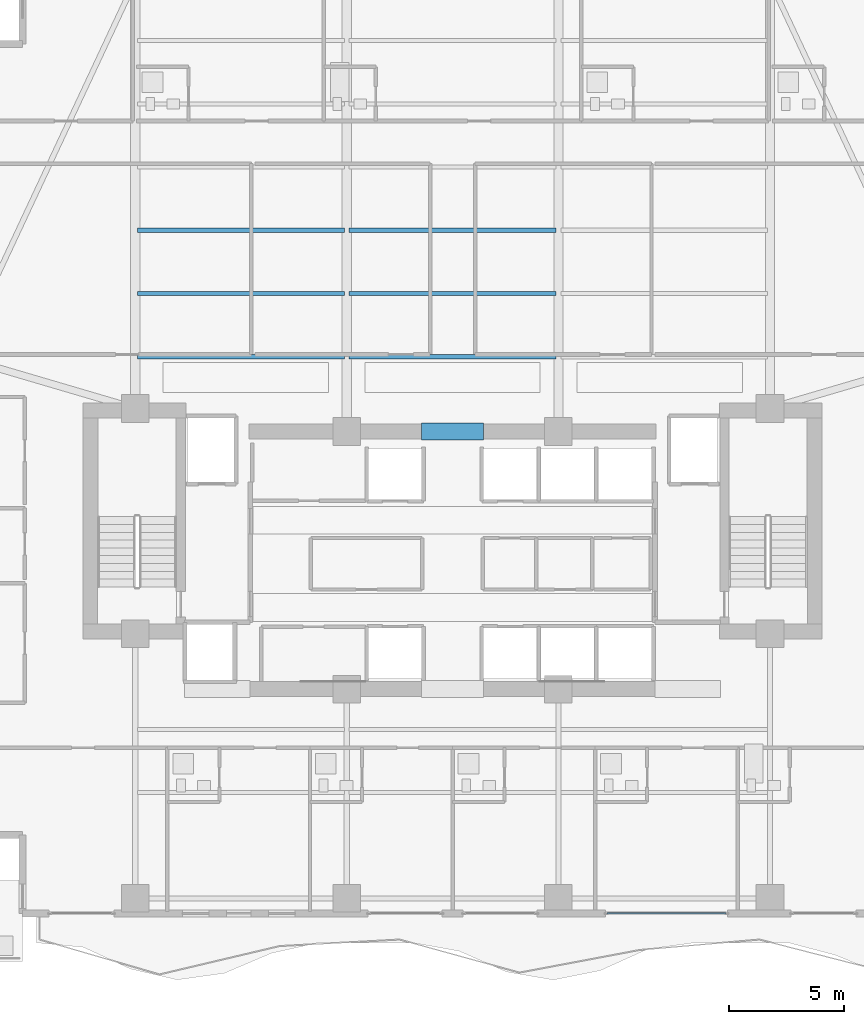
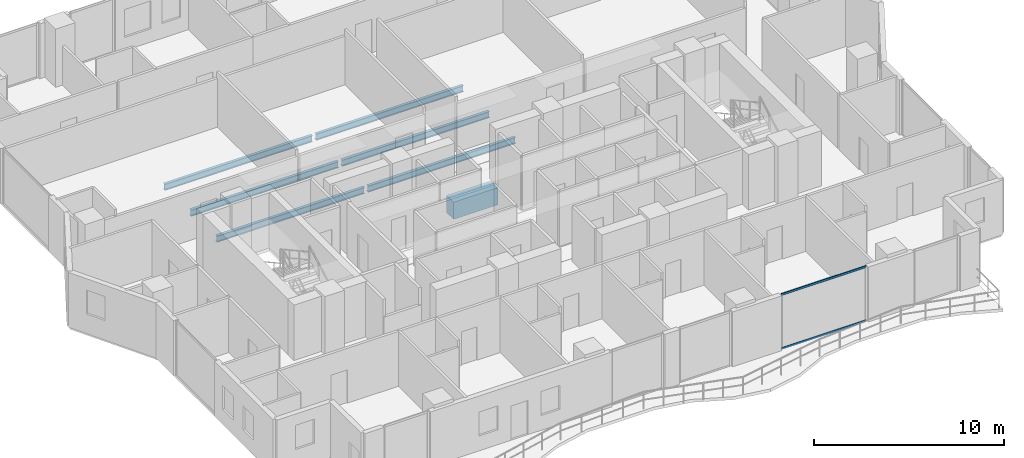
# One storey, part 8 of 32: 7 beams, 2 members, 1 element without a shape of its own.
"""IFC4 building model written with IfcOpenShell, lengths in metres."""

from ifc_helpers import new_model, si_unit, direction, frame, origin, origin_2d, place, context, subcontext, project, spatial, rectangle, hollow_rectangle, i_section, extrude, material, layer, layer_set, material_profile, profile_set, type_object, element, aggregate, save


model = new_model("IFC4")

# Units and contexts
model_context = context("Model", 3, precision=1e-05, world=origin(), true_north=direction((0.0, 1.0)))
body_context = subcontext(model_context, "Body", "Model", "MODEL_VIEW")
ifc_project = project(units=[si_unit("LENGTHUNIT", "METRE"), si_unit("AREAUNIT", "SQUARE_METRE"), si_unit("VOLUMEUNIT", "CUBIC_METRE"), si_unit("PLANEANGLEUNIT", "RADIAN"), si_unit("MASSUNIT", "GRAM", prefix="KILO")], contexts=[model_context])

# Site, building, storey
site_placement = place(None, origin())
site = spatial("IfcSite", under=ifc_project, at=site_placement, CompositionType="ELEMENT")
building_placement = place(site_placement, origin())
building = spatial("IfcBuilding", under=site, at=building_placement, Name="Zuhayl Quay Hotel", CompositionType="ELEMENT")
storey_placement = place(building_placement, frame((0.0, 0.0, 192.39990234375)))
storey = spatial("IfcBuildingStorey", under=building, at=storey_placement, Name="L48", CompositionType="ELEMENT", Elevation=192.39990234375)

# Beams
ifc_material_1 = material(Name="Concrete C60/75", Category="concrete")
ifc_material_profile_1 = material_profile(ifc_material_1, rectangle(XDim=0.75, YDim=1.10009765625, at=origin_2d()), Name="RC750X1100")
ifc_profile_set_1 = profile_set([ifc_material_profile_1], Name="Concrete C60/75")
beam_type_1 = type_object("IfcBeamType", Name="BM_CB2_RC750", PredefinedType="T_BEAM", material=ifc_profile_set_1)
beam_1_placement = place(storey_placement, frame((-1.35009765625, 13.35009765625, -0.77001953125), z_axis=(1.0, 0.0, 0.0), x_axis=(0.0, 1.0, 0.0)))
element("IfcBeam", 1, at=beam_1_placement, inside=storey, type_object=beam_type_1, Name="L48 Core Coupling Beam North", PredefinedType="T_BEAM", context=body_context, shape_type="SweptSolid", body=[
    extrude(rectangle(XDim=0.75, YDim=1.10009765625, at=origin_2d()), origin(), (0.0, 0.0, 1.0), 2.7001953125),
])
ifc_material_2 = material(Name="Steel ASTM A992 Grade 50", Category="steel")
ifc_material_profile_2 = material_profile(ifc_material_2, i_section(OverallWidth=0.177978515625, OverallDepth=0.406005859375, WebThickness=0.0078125, FlangeThickness=0.0126953125, at=origin_2d()), Name="W16X40")
ifc_profile_set_2 = profile_set([ifc_material_profile_2], Name="Steel ASTM A992 Grade 50")
beam_type_2 = type_object("IfcBeamType", Name="BM_J2B_W16X40", PredefinedType="JOIST", material=ifc_profile_set_2)
beam_2_placement = place(storey_placement, frame((-13.694091796875, 16.60009765625, -0.4228515625), z_axis=(1.0, 0.0, 0.0), x_axis=(0.0, 1.0, 0.0)))
element("IfcBeam", 2, at=beam_2_placement, inside=storey, type_object=beam_type_2, Name="L48 Floor Beam FJ_L48_1_1", PredefinedType="JOIST", context=body_context, shape_type="SweptSolid", body=[
    extrude(i_section(OverallWidth=0.177978515625, OverallDepth=0.406005859375, WebThickness=0.0078125, FlangeThickness=0.0126953125, at=origin_2d()), origin(), (0.0, 0.0, 1.0), 8.988037109375),
])
beam_3_placement = place(storey_placement, frame((-4.493896484375, 16.60009765625, -0.4228515625), z_axis=(1.0, 0.0, 0.0), x_axis=(0.0, 1.0, 0.0)))
element("IfcBeam", 3, at=beam_3_placement, inside=storey, type_object=beam_type_2, Name="L48 Floor Beam FJ_L48_1_2", PredefinedType="JOIST", context=body_context, shape_type="SweptSolid", body=[
    extrude(i_section(OverallWidth=0.177978515625, OverallDepth=0.406005859375, WebThickness=0.0078125, FlangeThickness=0.0126953125, at=origin_2d()), origin(), (0.0, 0.0, 1.0), 8.98779296875),
])
beam_4_placement = place(storey_placement, frame((-13.694091796875, 19.35009765625, -0.4228515625), z_axis=(1.0, 0.0, 0.0), x_axis=(0.0, 1.0, 0.0)))
element("IfcBeam", 4, at=beam_4_placement, inside=storey, type_object=beam_type_2, Name="L48 Floor Beam FJ_L48_2_1", PredefinedType="JOIST", context=body_context, shape_type="SweptSolid", body=[
    extrude(i_section(OverallWidth=0.177978515625, OverallDepth=0.406005859375, WebThickness=0.0078125, FlangeThickness=0.0126953125, at=origin_2d()), origin(), (0.0, 0.0, 1.0), 8.988037109375),
])
beam_5_placement = place(storey_placement, frame((-4.493896484375, 19.35009765625, -0.4228515625), z_axis=(1.0, 0.0, 0.0), x_axis=(0.0, 1.0, 0.0)))
element("IfcBeam", 5, at=beam_5_placement, inside=storey, type_object=beam_type_2, Name="L48 Floor Beam FJ_L48_2_2", PredefinedType="JOIST", context=body_context, shape_type="SweptSolid", body=[
    extrude(i_section(OverallWidth=0.177978515625, OverallDepth=0.406005859375, WebThickness=0.0078125, FlangeThickness=0.0126953125, at=origin_2d()), origin(), (0.0, 0.0, 1.0), 8.98779296875),
])
beam_6_placement = place(storey_placement, frame((-13.694091796875, 22.10009765625, -0.4228515625), z_axis=(1.0, 0.0, 0.0), x_axis=(0.0, 1.0, 0.0)))
element("IfcBeam", 6, at=beam_6_placement, inside=storey, type_object=beam_type_2, Name="L48 Floor Beam FJ_L48_3_1", PredefinedType="JOIST", context=body_context, shape_type="SweptSolid", body=[
    extrude(i_section(OverallWidth=0.177978515625, OverallDepth=0.406005859375, WebThickness=0.0078125, FlangeThickness=0.0126953125, at=origin_2d()), origin(), (0.0, 0.0, 1.0), 8.988037109375),
])
beam_7_placement = place(storey_placement, frame((-4.493896484375, 22.10009765625, -0.4228515625), z_axis=(1.0, 0.0, 0.0), x_axis=(0.0, 1.0, 0.0)))
element("IfcBeam", 7, at=beam_7_placement, inside=storey, type_object=beam_type_2, Name="L48 Floor Beam FJ_L48_3_2", PredefinedType="JOIST", context=body_context, shape_type="SweptSolid", body=[
    extrude(i_section(OverallWidth=0.177978515625, OverallDepth=0.406005859375, WebThickness=0.0078125, FlangeThickness=0.0126953125, at=origin_2d()), origin(), (0.0, 0.0, 1.0), 8.98779296875),
])

# Curtain wall, members
ifc_material_3 = material(Name="Anodised Aluminium 6063-T6", Category="aluminium")
ifc_layer = layer(ifc_material_3, 0.175048828125, Name="Anodised Aluminium 6063-T6", Category="aluminium")
ifc_layer_set = layer_set([ifc_layer], Name="Anodised Aluminium 6063-T6")
curtain_wall_type = type_object("IfcCurtainWallType", Name="CW_SYS_Z3", PredefinedType="USERDEFINED", material=ifc_layer_set)
curtain_wall_placement = place(storey_placement, origin())
curtain_wall = element("IfcCurtainWall", 8, at=curtain_wall_placement, inside=storey, type_object=curtain_wall_type, Name="L48 Curtain Wall ENV_L48_S_CW2", ObjectType="UNITISED CURTAIN WALL", PredefinedType="USERDEFINED")
ifc_material_4 = material(Name="Black-anodised aluminium 6063-T6", Category="aluminium")
ifc_material_profile_3 = material_profile(ifc_material_4, hollow_rectangle(XDim=0.054931640625, YDim=0.1298828125, WallThickness=0.0029296875, at=origin_2d()), Name="ALU130X55")
ifc_profile_set_3 = profile_set([ifc_material_profile_3], Name="Black-anodised aluminium 6063-T6")
member_type = type_object("IfcMemberType", Name="MB_CW_TRN_130", PredefinedType="USERDEFINED", material=ifc_profile_set_3)
member_1_placement = place(storey_placement, frame((11.885009765625, -7.60009765625, 0.027587890625), z_axis=(-1.0, 0.0, 0.0), x_axis=(0.0, -1.0, 0.0)))
member_1 = element("IfcMember", 9, at=member_1_placement, type_object=member_type, Name="CW-Z3 transom 1.1", ObjectType="TRANSOM", PredefinedType="USERDEFINED", context=body_context, shape_type="SweptSolid", body=[
    extrude(hollow_rectangle(XDim=0.054931640625, YDim=0.1298828125, WallThickness=0.0029296875, at=origin_2d()), origin(), (0.0, 0.0, 1.0), 5.169921875),
])
member_2_placement = place(storey_placement, frame((11.885009765625, -7.60009765625, 3.502685546875), z_axis=(-1.0, 0.0, 0.0), x_axis=(0.0, -1.0, 0.0)))
member_2 = element("IfcMember", 10, at=member_2_placement, type_object=member_type, Name="CW-Z3 transom 1.2", ObjectType="TRANSOM", PredefinedType="USERDEFINED", context=body_context, shape_type="SweptSolid", body=[
    extrude(hollow_rectangle(XDim=0.054931640625, YDim=0.1298828125, WallThickness=0.0029296875, at=origin_2d()), origin(), (0.0, 0.0, 1.0), 5.169921875),
])
aggregate(curtain_wall, [member_1, member_2])

save(model, "model.ifc")
